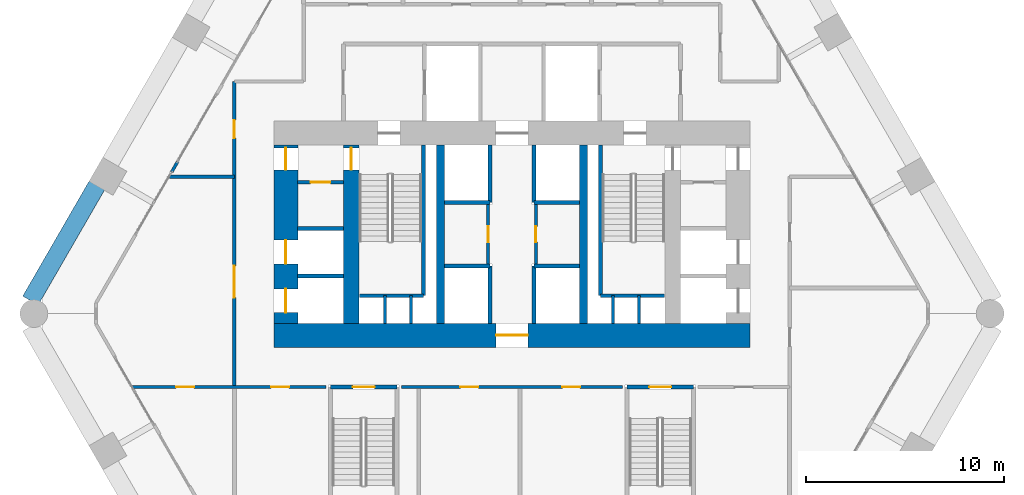
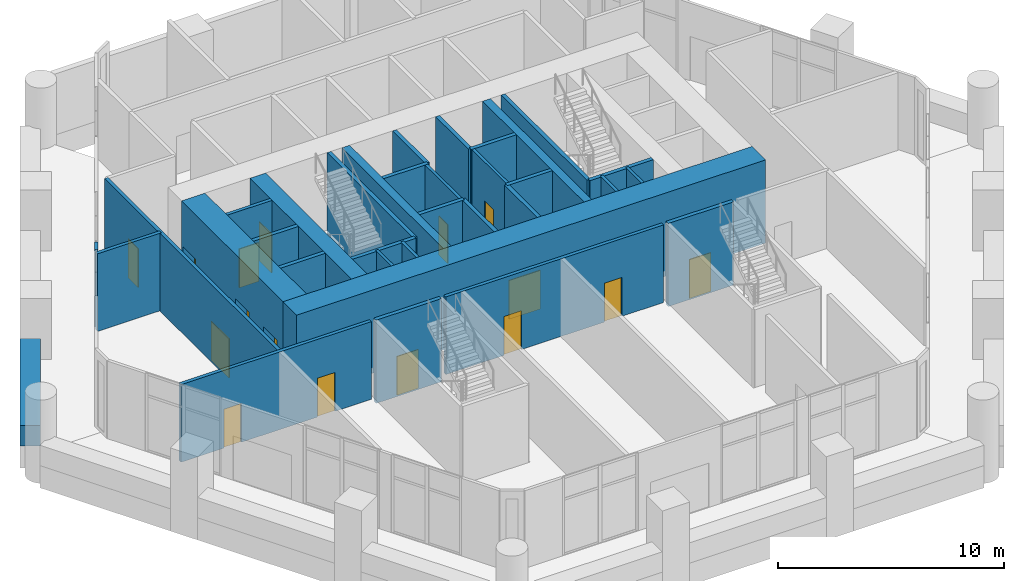
# One storey, part 14 of 18: 34 walls, 16 doors, 16 openings.
"""IFC4 building model written with IfcOpenShell, lengths in metres."""

from ifc_helpers import new_model, si_unit, direction, frame, frame_2d, origin, place, context, subcontext, project, spatial, rectangle, extrude, material, layer, layer_set, type_object, element, fill, save


model = new_model("IFC4")

# Units and contexts
model_context = context("Model", 3, precision=1e-05, world=origin(), true_north=direction((0.0, 1.0)))
body_context = subcontext(model_context, "Body", "Model", "MODEL_VIEW")
ifc_project = project(units=[si_unit("LENGTHUNIT", "METRE"), si_unit("AREAUNIT", "SQUARE_METRE"), si_unit("VOLUMEUNIT", "CUBIC_METRE"), si_unit("PLANEANGLEUNIT", "RADIAN"), si_unit("MASSUNIT", "GRAM", prefix="KILO")], contexts=[model_context])

# Site, building, storey
site_placement = place(None, origin())
site = spatial("IfcSite", under=ifc_project, at=site_placement, CompositionType="ELEMENT")
building_placement = place(site_placement, origin())
building = spatial("IfcBuilding", under=site, at=building_placement, Name="Ostrander Bayou Hotel Tower", CompositionType="ELEMENT")
storey_placement = place(building_placement, frame((0.0, 0.0, 14.5)))
storey = spatial("IfcBuildingStorey", under=building, at=storey_placement, Name="L03", CompositionType="ELEMENT", Elevation=14.5)

# Wall, opening, door
ifc_material_1 = material(Name="Concrete f'c 70 MPa", Category="concrete")
ifc_layer_1 = layer(ifc_material_1, 1.199951171875)
ifc_layer_set_1 = layer_set([ifc_layer_1], Name="CW1 core wall 1200 mm f'c 70 MPa")
wall_type_1 = type_object("IfcWallType", Name="CW1 core wall 1200 mm f'c 70 MPa", PredefinedType="SHEAR", material=ifc_layer_set_1)
wall_1_placement = place(storey_placement, frame((-12.0, -1.10009765625, -0.300048828125), z_axis=(0.0, 0.0, 1.0), x_axis=(1.0, 0.0, 0.0)))
wall_1 = element("IfcWall", 1, at=wall_1_placement, inside=storey, type_object=wall_type_1, Name="CW1 L03 S", PredefinedType="SHEAR", context=body_context, shape_type="SweptSolid", body=[
    extrude(rectangle(XDim=24.0, YDim=1.199951171875, at=frame_2d((12.0, 0.0))), origin(), (0.0, 0.0, 1.0), 4.5),
])
opening_1_placement = place(wall_1_placement, frame((11.199951171875, 0.0, 0.0)))
opening_1 = element("IfcOpeningElement", 2, at=opening_1_placement, cuts=wall_1, Name="Opening T03-001", PredefinedType="OPENING", context=body_context, shape_type="SweptSolid", body=[
    extrude(rectangle(XDim=1.60009765625, YDim=2.10009765625, at=frame_2d((0.800048828125, 1.050048828125))), frame((0.0, 0.60009765625, 0.0), z_axis=(0.0, -1.0, 0.0), x_axis=(1.0, 0.0, 0.0)), (0.0, 0.0, 1.0), 1.199951171875),
])
ifc_material_2 = material(Name="Timber door leaf", Category="wood")
door_type_1 = type_object("IfcDoorType", Name="D13 double door 1600 x 2100 mm, 1 hour", OperationType="SINGLE_SWING_LEFT", PredefinedType="DOOR", material=ifc_material_2)
door_1_placement = place(opening_1_placement, origin())
door_1 = element("IfcDoor", 3, at=door_1_placement, inside=storey, type_object=door_type_1, Name="dr:L03:001", OperationType="DOUBLE_DOOR_SINGLE_SWING", OverallHeight=2.10009765625, OverallWidth=1.60009765625, PredefinedType="DOOR", context=body_context, shape_type="SweptSolid", body=[
    extrude(rectangle(XDim=1.60009765625, YDim=2.10009765625, at=frame_2d((0.800048828125, 1.050048828125))), frame((0.0, 0.02490234375, 0.0), z_axis=(0.0, -1.0, 0.0), x_axis=(1.0, 0.0, 0.0)), (0.0, 0.0, 1.0), 0.050048828125),
])
fill(opening_1, door_1)

# Wall, openings, doors
wall_2_placement = place(storey_placement, frame((-11.39990234375, -0.5, -0.300048828125), z_axis=(0.0, 0.0, 1.0), x_axis=(0.0, 1.0, 0.0)))
wall_2 = element("IfcWall", 4, at=wall_2_placement, inside=storey, type_object=wall_type_1, Name="CW1 L03 RW", PredefinedType="SHEAR", context=body_context, shape_type="SweptSolid", body=[
    extrude(rectangle(XDim=9.0, YDim=1.199951171875, at=frame_2d((4.5, 0.0))), origin(), (0.0, 0.0, 1.0), 4.5),
])
opening_2_placement = place(wall_2_placement, frame((7.75, 0.0, 0.0)))
opening_2 = element("IfcOpeningElement", 5, at=opening_2_placement, cuts=wall_2, Name="Opening T03-016", PredefinedType="OPENING", context=body_context, shape_type="SweptSolid", body=[
    extrude(rectangle(XDim=1.10009765625, YDim=2.10009765625, at=frame_2d((0.550048828125, 1.050048828125))), frame((0.0, 0.60009765625, 0.0), z_axis=(0.0, -1.0, 0.0), x_axis=(1.0, 0.0, 0.0)), (0.0, 0.0, 1.0), 1.199951171875),
])
opening_3_placement = place(wall_2_placement, frame((0.550048828125, 0.0, 0.0)))
opening_3 = element("IfcOpeningElement", 6, at=opening_3_placement, cuts=wall_2, Name="Opening T03-017", PredefinedType="OPENING", context=body_context, shape_type="SweptSolid", body=[
    extrude(rectangle(XDim=1.199951171875, YDim=2.10009765625, at=frame_2d((0.60009765625, 1.050048828125))), frame((0.0, 0.60009765625, 0.0), z_axis=(0.0, -1.0, 0.0), x_axis=(1.0, 0.0, 0.0)), (0.0, 0.0, 1.0), 1.199951171875),
])
opening_4_placement = place(wall_2_placement, frame((3.0, 0.0, 0.0)))
opening_4 = element("IfcOpeningElement", 7, at=opening_4_placement, cuts=wall_2, Name="Opening T03-018", PredefinedType="OPENING", context=body_context, shape_type="SweptSolid", body=[
    extrude(rectangle(XDim=1.199951171875, YDim=2.10009765625, at=frame_2d((0.60009765625, 1.050048828125))), frame((0.0, 0.60009765625, 0.0), z_axis=(0.0, -1.0, 0.0), x_axis=(1.0, 0.0, 0.0)), (0.0, 0.0, 1.0), 1.199951171875),
])
ifc_material_3 = material(Name="Timber door leaf", Category="wood")
door_type_2 = type_object("IfcDoorType", Name="D5 stair door 1100 x 2100 mm, 90 minute", OperationType="SINGLE_SWING_LEFT", PredefinedType="DOOR", material=ifc_material_3)
door_2_placement = place(opening_2_placement, origin())
door_2 = element("IfcDoor", 8, at=door_2_placement, inside=storey, type_object=door_type_2, Name="dr:L03:016", OperationType="SINGLE_SWING_LEFT", OverallHeight=2.10009765625, OverallWidth=1.10009765625, PredefinedType="DOOR", context=body_context, shape_type="SweptSolid", body=[
    extrude(rectangle(XDim=1.10009765625, YDim=2.10009765625, at=frame_2d((0.550048828125, 1.050048828125))), frame((0.0, 0.02490234375, 0.0), z_axis=(0.0, -1.0, 0.0), x_axis=(1.0, 0.0, 0.0)), (0.0, 0.0, 1.0), 0.050048828125),
])
fill(opening_2, door_2)
ifc_material_4 = material(Name="Stainless steel sliding door", Category="steel")
door_type_3 = type_object("IfcDoorType", Name="LD1 lift landing door 1200 x 2100 mm", OperationType="SINGLE_SWING_LEFT", PredefinedType="DOOR", material=ifc_material_4)
door_3_placement = place(opening_3_placement, origin())
door_3 = element("IfcDoor", 9, at=door_3_placement, inside=storey, type_object=door_type_3, Name="dr:L03:017", OperationType="SLIDING_TO_LEFT", OverallHeight=2.10009765625, OverallWidth=1.199951171875, PredefinedType="DOOR", context=body_context, shape_type="SweptSolid", body=[
    extrude(rectangle(XDim=1.199951171875, YDim=2.10009765625, at=frame_2d((0.60009765625, 1.050048828125))), frame((0.0, 0.02490234375, 0.0), z_axis=(0.0, -1.0, 0.0), x_axis=(1.0, 0.0, 0.0)), (0.0, 0.0, 1.0), 0.050048828125),
])
fill(opening_3, door_3)
door_4_placement = place(opening_4_placement, origin())
door_4 = element("IfcDoor", 10, at=door_4_placement, inside=storey, type_object=door_type_3, Name="dr:L03:018", OperationType="SLIDING_TO_LEFT", OverallHeight=2.10009765625, OverallWidth=1.199951171875, PredefinedType="DOOR", context=body_context, shape_type="SweptSolid", body=[
    extrude(rectangle(XDim=1.199951171875, YDim=2.10009765625, at=frame_2d((0.60009765625, 1.050048828125))), frame((0.0, 0.02490234375, 0.0), z_axis=(0.0, -1.0, 0.0), x_axis=(1.0, 0.0, 0.0)), (0.0, 0.0, 1.0), 0.050048828125),
])
fill(opening_4, door_4)

# Wall, opening, door
ifc_material_5 = material(Name="Concrete f'c 70 MPa", Category="concrete")
ifc_layer_2 = layer(ifc_material_5, 0.800048828125)
ifc_layer_set_2 = layer_set([ifc_layer_2], Name="CW2 core spine wall 800 mm f'c 70 MPa")
wall_type_2 = type_object("IfcWallType", Name="CW2 core spine wall 800 mm f'c 70 MPa", PredefinedType="SHEAR", material=ifc_layer_set_2)
wall_3_placement = place(storey_placement, frame((-8.10009765625, -0.5, -0.300048828125), z_axis=(0.0, 0.0, 1.0), x_axis=(0.0, 1.0, 0.0)))
wall_3 = element("IfcWall", 11, at=wall_3_placement, inside=storey, type_object=wall_type_2, Name="CW2 L03 W", PredefinedType="SHEAR", context=body_context, shape_type="SweptSolid", body=[
    extrude(rectangle(XDim=9.0, YDim=0.800048828125, at=frame_2d((4.5, 0.0))), origin(), (0.0, 0.0, 1.0), 4.5),
])
opening_5_placement = place(wall_3_placement, frame((7.75, 0.0, 0.0)))
opening_5 = element("IfcOpeningElement", 12, at=opening_5_placement, cuts=wall_3, Name="Opening T03-004", PredefinedType="OPENING", context=body_context, shape_type="SweptSolid", body=[
    extrude(rectangle(XDim=1.10009765625, YDim=2.10009765625, at=frame_2d((0.550048828125, 1.050048828125))), frame((0.0, 0.39990234375, 0.0), z_axis=(0.0, -1.0, 0.0), x_axis=(1.0, 0.0, 0.0)), (0.0, 0.0, 1.0), 0.800048828125),
])
door_5_placement = place(opening_5_placement, origin())
door_5 = element("IfcDoor", 13, at=door_5_placement, inside=storey, type_object=door_type_2, Name="dr:L03:004", OperationType="SINGLE_SWING_RIGHT", OverallHeight=2.10009765625, OverallWidth=1.10009765625, PredefinedType="DOOR", context=body_context, shape_type="SweptSolid", body=[
    extrude(rectangle(XDim=1.10009765625, YDim=2.10009765625, at=frame_2d((0.550048828125, 1.050048828125))), frame((0.0, 0.02490234375, 0.0), z_axis=(0.0, -1.0, 0.0), x_axis=(1.0, 0.0, 0.0)), (0.0, 0.0, 1.0), 0.050048828125),
])
fill(opening_5, door_5)

# Walls
ifc_material_6 = material(Name="Concrete f'c 70 MPa", Category="concrete")
ifc_layer_3 = layer(ifc_material_6, 0.39990234375)
ifc_layer_set_3 = layer_set([ifc_layer_3], Name="CW3 core bank wall 400 mm f'c 70 MPa")
wall_type_3 = type_object("IfcWallType", Name="CW3 core bank wall 400 mm f'c 70 MPa", PredefinedType="SHEAR", material=ifc_layer_set_3)
for number, where, z_axis, x_axis, name in (
    (14, (-3.60009765625, -0.5, -0.300048828125), (0.0, 0.0, 1.0), (0.0, 1.0, 0.0), "CW3 L03 CW"),
    (15, (3.60009765625, -0.5, -0.300048828125), (0.0, 0.0, 1.0), (0.0, 1.0, 0.0), "CW3 L03 CE"),
):
    element("IfcWall", number, at=place(storey_placement, frame(where, z_axis=z_axis, x_axis=x_axis)), inside=storey, type_object=wall_type_3, Name=name, PredefinedType="SHEAR", context=body_context, shape_type="SweptSolid", body=[
        extrude(rectangle(XDim=9.0, YDim=0.39990234375, at=frame_2d((4.5, 0.0))), origin(), (0.0, 0.0, 1.0), 4.5),
    ])
ifc_material_7 = material(Name="Aluminium framed insulated wall", Category="aluminium")
ifc_layer_4 = layer(ifc_material_7, 0.14990234375)
ifc_layer_set_4 = layer_set([ifc_layer_4], Name="GW1 glass-line wall 150 mm")
wall_type_4 = type_object("IfcWallType", Name="GW1 glass-line wall 150 mm", PredefinedType="SOLIDWALL", material=ifc_layer_set_4)
wall_4_placement = place(storey_placement, frame((-16.8564453125, 7.65380859375, 0.0), z_axis=(0.0, 0.0, 1.0), x_axis=(-0.499945471869, -0.866056883327, 0.0)))
element("IfcWall", 16, at=wall_4_placement, inside=storey, type_object=wall_type_4, Name="GW1 L03 NW pier 4", PredefinedType="SOLIDWALL", context=body_context, shape_type="SweptSolid", body=[
    extrude(rectangle(XDim=0.60009765625, YDim=0.14990234375, at=frame_2d((0.300048828125, 0.0))), origin(), (0.0, 0.0, 1.0), 4.199951171875),
])
ifc_material_8 = material(Name="Concrete f'c 40 MPa", Category="concrete")
ifc_layer_5 = layer(ifc_material_8, 0.89990234375)
ifc_layer_set_5 = layer_set([ifc_layer_5], Name="PA1 stone-faced parapet 900 mm")
wall_type_5 = type_object("IfcWallType", Name="PA1 stone-faced parapet 900 mm", PredefinedType="PARAPET", material=ifc_layer_set_5)
wall_5_placement = place(storey_placement, frame((-20.92236328125, 6.46142578125, 0.0), z_axis=(0.0, 0.0, 1.0), x_axis=(-0.500005133765, -0.866022439784, 0.0)))
element("IfcWall", 17, at=wall_5_placement, inside=storey, type_object=wall_type_5, Name="PA1 L03 NW-3", PredefinedType="PARAPET", context=body_context, shape_type="SweptSolid", body=[
    extrude(rectangle(XDim=6.70361328125, YDim=0.89990234375, at=frame_2d((3.351806640625, 0.0))), origin(), (0.0, 0.0, 1.0), 1.10009765625),
])

# Wall, opening, door
ifc_material_9 = material(Name="Gypsum board partition", Category="finish")
ifc_layer_6 = layer(ifc_material_9, 0.175048828125)
ifc_layer_set_6 = layer_set([ifc_layer_6], Name="PT4 corridor wall 175 mm, 1 hour")
wall_type_6 = type_object("IfcWallType", Name="PT4 corridor wall 175 mm, 1 hour", PredefinedType="PARTITIONING", material=ifc_layer_set_6)
wall_6_placement = place(storey_placement, frame((-10.800048828125, 6.614013671875, 0.0), z_axis=(0.0, 0.0, 1.0), x_axis=(1.0, 0.0, 0.0)))
wall_6 = element("IfcWall", 18, at=wall_6_placement, inside=storey, type_object=wall_type_6, Name="cs:L03:036", PredefinedType="PARTITIONING", context=body_context, shape_type="SweptSolid", body=[
    extrude(rectangle(XDim=2.300048828125, YDim=0.175048828125, at=frame_2d((1.14990234375, 0.0))), origin(), (0.0, 0.0, 1.0), 4.199951171875),
])
opening_6_placement = place(wall_6_placement, frame((0.64990234375, 0.0, 0.0)))
opening_6 = element("IfcOpeningElement", 19, at=opening_6_placement, cuts=wall_6, Name="Opening T03-015", PredefinedType="OPENING", context=body_context, shape_type="SweptSolid", body=[
    extrude(rectangle(XDim=1.0, YDim=2.10009765625, at=frame_2d((0.5, 1.050048828125))), frame((0.0, 0.08740234375, 0.0), z_axis=(0.0, -1.0, 0.0), x_axis=(1.0, 0.0, 0.0)), (0.0, 0.0, 1.0), 0.175048828125),
])
ifc_material_10 = material(Name="Timber door leaf", Category="wood")
door_type_4 = type_object("IfcDoorType", Name="D4 corridor door 1000 x 2100 mm, 1 hour", OperationType="SINGLE_SWING_LEFT", PredefinedType="DOOR", material=ifc_material_10)
door_6_placement = place(opening_6_placement, origin())
door_6 = element("IfcDoor", 20, at=door_6_placement, inside=storey, type_object=door_type_4, Name="dr:L03:015", OperationType="SINGLE_SWING_LEFT", OverallHeight=2.10009765625, OverallWidth=1.0, PredefinedType="DOOR", context=body_context, shape_type="SweptSolid", body=[
    extrude(rectangle(XDim=1.0, YDim=2.10009765625, at=frame_2d((0.5, 1.050048828125))), frame((0.0, 0.02490234375, 0.0), z_axis=(0.0, -1.0, 0.0), x_axis=(1.0, 0.0, 0.0)), (0.0, 0.0, 1.0), 0.050048828125),
])
fill(opening_6, door_6)

# Wall, openings, doors
wall_7_placement = place(storey_placement, frame((-19.117919921875, -3.699951171875, 0.0), z_axis=(0.0, 0.0, 1.0), x_axis=(1.0, 0.0, 0.0)))
wall_7 = element("IfcWall", 21, at=wall_7_placement, inside=storey, type_object=wall_type_6, Name="sw:L03:001", PredefinedType="PARTITIONING", context=body_context, shape_type="SweptSolid", body=[
    extrude(rectangle(XDim=9.738037109375, YDim=0.175048828125, at=frame_2d((4.869140625, 0.0))), origin(), (0.0, 0.0, 1.0), 4.199951171875),
])
opening_7_placement = place(wall_7_placement, frame((6.97802734375, 0.0, 0.0)))
opening_7 = element("IfcOpeningElement", 22, at=opening_7_placement, cuts=wall_7, Name="Opening T03-200", PredefinedType="OPENING", context=body_context, shape_type="SweptSolid", body=[
    extrude(rectangle(XDim=0.89990234375, YDim=2.10009765625, at=frame_2d((0.449951171875, 1.050048828125))), frame((0.0, 0.08740234375, 0.0), z_axis=(0.0, -1.0, 0.0), x_axis=(1.0, 0.0, 0.0)), (0.0, 0.0, 1.0), 0.175048828125),
])
opening_8_placement = place(wall_7_placement, frame((2.18798828125, 0.0, 0.0)))
opening_8 = element("IfcOpeningElement", 23, at=opening_8_placement, cuts=wall_7, Name="Opening T03-205", PredefinedType="OPENING", context=body_context, shape_type="SweptSolid", body=[
    extrude(rectangle(XDim=0.89990234375, YDim=2.10009765625, at=frame_2d((0.449951171875, 1.050048828125))), frame((0.0, 0.08740234375, 0.0), z_axis=(0.0, -1.0, 0.0), x_axis=(1.0, 0.0, 0.0)), (0.0, 0.0, 1.0), 0.175048828125),
])
ifc_material_11 = material(Name="Timber door leaf", Category="wood")
door_type_5 = type_object("IfcDoorType", Name="D8 room door 900 x 2100 mm", OperationType="SINGLE_SWING_LEFT", PredefinedType="DOOR", material=ifc_material_11)
door_7_placement = place(opening_7_placement, origin())
door_7 = element("IfcDoor", 24, at=door_7_placement, inside=storey, type_object=door_type_5, Name="dr:L03:200", OperationType="SINGLE_SWING_RIGHT", OverallHeight=2.10009765625, OverallWidth=0.89990234375, PredefinedType="DOOR", context=body_context, shape_type="SweptSolid", body=[
    extrude(rectangle(XDim=0.89990234375, YDim=2.10009765625, at=frame_2d((0.449951171875, 1.050048828125))), frame((0.0, 0.02490234375, 0.0), z_axis=(0.0, -1.0, 0.0), x_axis=(1.0, 0.0, 0.0)), (0.0, 0.0, 1.0), 0.050048828125),
])
fill(opening_7, door_7)
door_8_placement = place(opening_8_placement, origin())
door_8 = element("IfcDoor", 25, at=door_8_placement, inside=storey, type_object=door_type_5, Name="dr:L03:205", OperationType="SINGLE_SWING_LEFT", OverallHeight=2.10009765625, OverallWidth=0.89990234375, PredefinedType="DOOR", context=body_context, shape_type="SweptSolid", body=[
    extrude(rectangle(XDim=0.89990234375, YDim=2.10009765625, at=frame_2d((0.449951171875, 1.050048828125))), frame((0.0, 0.02490234375, 0.0), z_axis=(0.0, -1.0, 0.0), x_axis=(1.0, 0.0, 0.0)), (0.0, 0.0, 1.0), 0.050048828125),
])
fill(opening_8, door_8)

wall_8_placement = place(storey_placement, frame((-5.570068359375, -3.699951171875, 0.0), z_axis=(0.0, 0.0, 1.0), x_axis=(1.0, 0.0, 0.0)))
wall_8 = element("IfcWall", 26, at=wall_8_placement, inside=storey, type_object=wall_type_6, Name="sw:L03:002", PredefinedType="PARTITIONING", context=body_context, shape_type="SweptSolid", body=[
    extrude(rectangle(XDim=11.14013671875, YDim=0.175048828125, at=frame_2d((5.570068359375, 0.0))), origin(), (0.0, 0.0, 1.0), 4.199951171875),
])
opening_9_placement = place(wall_8_placement, frame((2.969970703125, 0.0, 0.0)))
opening_9 = element("IfcOpeningElement", 27, at=opening_9_placement, cuts=wall_8, Name="Opening T03-201", PredefinedType="OPENING", context=body_context, shape_type="SweptSolid", body=[
    extrude(rectangle(XDim=0.89990234375, YDim=2.10009765625, at=frame_2d((0.449951171875, 1.050048828125))), frame((0.0, 0.08740234375, 0.0), z_axis=(0.0, -1.0, 0.0), x_axis=(1.0, 0.0, 0.0)), (0.0, 0.0, 1.0), 0.175048828125),
])
opening_10_placement = place(wall_8_placement, frame((8.10498046875, 0.0, 0.0)))
opening_10 = element("IfcOpeningElement", 28, at=opening_10_placement, cuts=wall_8, Name="Opening T03-202", PredefinedType="OPENING", context=body_context, shape_type="SweptSolid", body=[
    extrude(rectangle(XDim=0.89990234375, YDim=2.10009765625, at=frame_2d((0.449951171875, 1.050048828125))), frame((0.0, 0.08740234375, 0.0), z_axis=(0.0, -1.0, 0.0), x_axis=(1.0, 0.0, 0.0)), (0.0, 0.0, 1.0), 0.175048828125),
])
door_9_placement = place(opening_9_placement, origin())
door_9 = element("IfcDoor", 29, at=door_9_placement, inside=storey, type_object=door_type_5, Name="dr:L03:201", OperationType="SINGLE_SWING_LEFT", OverallHeight=2.10009765625, OverallWidth=0.89990234375, PredefinedType="DOOR", context=body_context, shape_type="SweptSolid", body=[
    extrude(rectangle(XDim=0.89990234375, YDim=2.10009765625, at=frame_2d((0.449951171875, 1.050048828125))), frame((0.0, 0.02490234375, 0.0), z_axis=(0.0, -1.0, 0.0), x_axis=(1.0, 0.0, 0.0)), (0.0, 0.0, 1.0), 0.050048828125),
])
fill(opening_9, door_9)
door_10_placement = place(opening_10_placement, origin())
door_10 = element("IfcDoor", 30, at=door_10_placement, inside=storey, type_object=door_type_5, Name="dr:L03:202", OperationType="SINGLE_SWING_RIGHT", OverallHeight=2.10009765625, OverallWidth=0.89990234375, PredefinedType="DOOR", context=body_context, shape_type="SweptSolid", body=[
    extrude(rectangle(XDim=0.89990234375, YDim=2.10009765625, at=frame_2d((0.449951171875, 1.050048828125))), frame((0.0, 0.02490234375, 0.0), z_axis=(0.0, -1.0, 0.0), x_axis=(1.0, 0.0, 0.0)), (0.0, 0.0, 1.0), 0.050048828125),
])
fill(opening_10, door_10)

# Wall
wall_9_placement = place(storey_placement, frame((-17.2705078125, 6.89990234375, 0.0), z_axis=(0.0, 0.0, 1.0), x_axis=(1.0, 0.0, 0.0)))
element("IfcWall", 31, at=wall_9_placement, inside=storey, type_object=wall_type_6, Name="sw:L03:004", PredefinedType="PARTITIONING", context=body_context, shape_type="SweptSolid", body=[
    extrude(rectangle(XDim=3.2705078125, YDim=0.175048828125, at=frame_2d((1.63525390625, 0.0))), origin(), (0.0, 0.0, 1.0), 4.199951171875),
])

# Wall, openings, doors
wall_10_placement = place(storey_placement, frame((-14.0, -3.699951171875, 0.0), z_axis=(0.0, 0.0, 1.0), x_axis=(0.0, 1.0, 0.0)))
wall_10 = element("IfcWall", 32, at=wall_10_placement, inside=storey, type_object=wall_type_6, Name="sw:L03:009", PredefinedType="PARTITIONING", context=body_context, shape_type="SweptSolid", body=[
    extrude(rectangle(XDim=15.39990234375, YDim=0.175048828125, at=frame_2d((7.699951171875, 0.0))), origin(), (0.0, 0.0, 1.0), 4.199951171875),
])
opening_11_placement = place(wall_10_placement, frame((4.5, 0.0, 0.0)))
opening_11 = element("IfcOpeningElement", 33, at=opening_11_placement, cuts=wall_10, Name="Opening T03-206", PredefinedType="OPENING", context=body_context, shape_type="SweptSolid", body=[
    extrude(rectangle(XDim=1.60009765625, YDim=2.10009765625, at=frame_2d((0.800048828125, 1.050048828125))), frame((0.0, 0.08740234375, 0.0), z_axis=(0.0, -1.0, 0.0), x_axis=(1.0, 0.0, 0.0)), (0.0, 0.0, 1.0), 0.175048828125),
])
opening_12_placement = place(wall_10_placement, frame((12.550048828125, 0.0, 0.0)))
opening_12 = element("IfcOpeningElement", 34, at=opening_12_placement, cuts=wall_10, Name="Opening T03-209", PredefinedType="OPENING", context=body_context, shape_type="SweptSolid", body=[
    extrude(rectangle(XDim=0.89990234375, YDim=2.10009765625, at=frame_2d((0.449951171875, 1.050048828125))), frame((0.0, 0.08740234375, 0.0), z_axis=(0.0, -1.0, 0.0), x_axis=(1.0, 0.0, 0.0)), (0.0, 0.0, 1.0), 0.175048828125),
])
door_11_placement = place(opening_11_placement, origin())
door_11 = element("IfcDoor", 35, at=door_11_placement, inside=storey, type_object=door_type_1, Name="dr:L03:206", OperationType="DOUBLE_DOOR_SINGLE_SWING", OverallHeight=2.10009765625, OverallWidth=1.60009765625, PredefinedType="DOOR", context=body_context, shape_type="SweptSolid", body=[
    extrude(rectangle(XDim=1.60009765625, YDim=2.10009765625, at=frame_2d((0.800048828125, 1.050048828125))), frame((0.0, 0.02490234375, 0.0), z_axis=(0.0, -1.0, 0.0), x_axis=(1.0, 0.0, 0.0)), (0.0, 0.0, 1.0), 0.050048828125),
])
fill(opening_11, door_11)
door_12_placement = place(opening_12_placement, origin())
door_12 = element("IfcDoor", 36, at=door_12_placement, inside=storey, type_object=door_type_5, Name="dr:L03:209", OperationType="SINGLE_SWING_LEFT", OverallHeight=2.10009765625, OverallWidth=0.89990234375, PredefinedType="DOOR", context=body_context, shape_type="SweptSolid", body=[
    extrude(rectangle(XDim=0.89990234375, YDim=2.10009765625, at=frame_2d((0.449951171875, 1.050048828125))), frame((0.0, 0.02490234375, 0.0), z_axis=(0.0, -1.0, 0.0), x_axis=(1.0, 0.0, 0.0)), (0.0, 0.0, 1.0), 0.050048828125),
])
fill(opening_12, door_12)

# Walls
ifc_material_12 = material(Name="Masonry block", Category="masonry")
ifc_layer_7 = layer(ifc_material_12, 0.199951171875)
ifc_layer_set_7 = layer_set([ifc_layer_7], Name="PT6 lift shaft wall 200 mm masonry, 2 hour")
wall_type_7 = type_object("IfcWallType", Name="PT6 lift shaft wall 200 mm masonry, 2 hour", PredefinedType="PARTITIONING", material=ifc_layer_set_7)
for number, where, z_axis, x_axis, name in (
    (37, (-3.39990234375, 2.39990234375, 0.0), (0.0, 0.0, 1.0), (1.0, 0.0, 0.0), "cs:L03:001"),
    (38, (-3.39990234375, 5.60009765625, 0.0), (0.0, 0.0, 1.0), (1.0, 0.0, 0.0), "cs:L03:002"),
    (39, (1.10009765625, 2.39990234375, 0.0), (0.0, 0.0, 1.0), (1.0, 0.0, 0.0), "cs:L03:003"),
    (40, (1.10009765625, 5.60009765625, 0.0), (0.0, 0.0, 1.0), (1.0, 0.0, 0.0), "cs:L03:004"),
):
    element("IfcWall", number, at=place(storey_placement, frame(where, z_axis=z_axis, x_axis=x_axis)), inside=storey, type_object=wall_type_7, Name=name, PredefinedType="PARTITIONING", context=body_context, shape_type="SweptSolid", body=[
        extrude(rectangle(XDim=2.2998046875, YDim=0.199951171875, at=frame_2d((1.14990234375, 0.0))), origin(), (0.0, 0.0, 1.0), 4.199951171875),
    ])
for number, where, z_axis, x_axis, name in (
    (41, (-1.10009765625, -0.5, 0.0), (0.0, 0.0, 1.0), (0.0, 1.0, 0.0), "cs:L03:005"),
    (42, (1.10009765625, -0.5, 0.0), (0.0, 0.0, 1.0), (0.0, 1.0, 0.0), "cs:L03:006"),
    (43, (-1.10009765625, 5.60009765625, 0.0), (0.0, 0.0, 1.0), (0.0, 1.0, 0.0), "cs:L03:007"),
    (44, (1.10009765625, 5.60009765625, 0.0), (0.0, 0.0, 1.0), (0.0, 1.0, 0.0), "cs:L03:008"),
):
    element("IfcWall", number, at=place(storey_placement, frame(where, z_axis=z_axis, x_axis=x_axis)), inside=storey, type_object=wall_type_7, Name=name, PredefinedType="PARTITIONING", context=body_context, shape_type="SweptSolid", body=[
        extrude(rectangle(XDim=2.89990234375, YDim=0.199951171875, at=frame_2d((1.449951171875, 0.0))), origin(), (0.0, 0.0, 1.0), 4.199951171875),
    ])
for number, where, z_axis, x_axis, name in (
    (45, (-10.800048828125, 1.89990234375, 0.0), (0.0, 0.0, 1.0), (1.0, 0.0, 0.0), "cs:L03:034"),
    (46, (-10.800048828125, 4.300048828125, 0.0), (0.0, 0.0, 1.0), (1.0, 0.0, 0.0), "cs:L03:035"),
):
    element("IfcWall", number, at=place(storey_placement, frame(where, z_axis=z_axis, x_axis=x_axis)), inside=storey, type_object=wall_type_7, Name=name, PredefinedType="PARTITIONING", context=body_context, shape_type="SweptSolid", body=[
        extrude(rectangle(XDim=2.300048828125, YDim=0.199951171875, at=frame_2d((1.14990234375, 0.0))), origin(), (0.0, 0.0, 1.0), 4.199951171875),
    ])
ifc_material_13 = material(Name="Gypsum board partition", Category="finish")
ifc_layer_8 = layer(ifc_material_13, 0.14990234375)
ifc_layer_set_8 = layer_set([ifc_layer_8], Name="PT7 riser wall 150 mm, 2 hour")
wall_type_8 = type_object("IfcWallType", Name="PT7 riser wall 150 mm, 2 hour", PredefinedType="PARTITIONING", material=ifc_layer_set_8)
for number, where, z_axis, x_axis, name in (
    (47, (-6.39990234375, -0.5, 0.0), (0.0, 0.0, 1.0), (0.0, 1.0, 0.0), "cs:L03:011"),
    (48, (-5.10009765625, -0.5, 0.0), (0.0, 0.0, 1.0), (0.0, 1.0, 0.0), "cs:L03:012"),
    (49, (5.10009765625, -0.5, 0.0), (0.0, 0.0, 1.0), (0.0, 1.0, 0.0), "cs:L03:015"),
    (50, (6.39990234375, -0.5, 0.0), (0.0, 0.0, 1.0), (0.0, 1.0, 0.0), "cs:L03:016"),
):
    element("IfcWall", number, at=place(storey_placement, frame(where, z_axis=z_axis, x_axis=x_axis)), inside=storey, type_object=wall_type_8, Name=name, PredefinedType="PARTITIONING", context=body_context, shape_type="SweptSolid", body=[
        extrude(rectangle(XDim=1.39990234375, YDim=0.14990234375, at=frame_2d((0.699951171875, 0.0))), origin(), (0.0, 0.0, 1.0), 4.199951171875),
    ])

# Wall, opening, door
wall_11_placement = place(storey_placement, frame((-1.199951171875, 2.5, 0.0), z_axis=(0.0, 0.0, 1.0), x_axis=(0.0, 1.0, 0.0)))
wall_11 = element("IfcWall", 51, at=wall_11_placement, inside=storey, type_object=wall_type_8, Name="cs:L03:032", PredefinedType="PARTITIONING", context=body_context, shape_type="SweptSolid", body=[
    extrude(rectangle(XDim=3.0, YDim=0.14990234375, at=frame_2d((1.5, 0.0))), origin(), (0.0, 0.0, 1.0), 4.199951171875),
])
opening_13_placement = place(wall_11_placement, frame((1.10009765625, 0.0, 0.0)))
opening_13 = element("IfcOpeningElement", 52, at=opening_13_placement, cuts=wall_11, Name="Opening T03-013", PredefinedType="OPENING", context=body_context, shape_type="SweptSolid", body=[
    extrude(rectangle(XDim=0.800048828125, YDim=2.10009765625, at=frame_2d((0.39990234375, 1.050048828125))), frame((0.0, 0.074951171875, 0.0), z_axis=(0.0, -1.0, 0.0), x_axis=(1.0, 0.0, 0.0)), (0.0, 0.0, 1.0), 0.14990234375),
])
ifc_material_14 = material(Name="Timber door leaf", Category="wood")
door_type_6 = type_object("IfcDoorType", Name="D6 riser door 800 x 2100 mm, 90 minute", OperationType="SINGLE_SWING_LEFT", PredefinedType="DOOR", material=ifc_material_14)
door_13_placement = place(opening_13_placement, origin())
door_13 = element("IfcDoor", 53, at=door_13_placement, inside=storey, type_object=door_type_6, Name="dr:L03:013", OperationType="SINGLE_SWING_LEFT", OverallHeight=2.10009765625, OverallWidth=0.800048828125, PredefinedType="DOOR", context=body_context, shape_type="SweptSolid", body=[
    extrude(rectangle(XDim=0.800048828125, YDim=2.10009765625, at=frame_2d((0.39990234375, 1.050048828125))), frame((0.0, 0.02490234375, 0.0), z_axis=(0.0, -1.0, 0.0), x_axis=(1.0, 0.0, 0.0)), (0.0, 0.0, 1.0), 0.050048828125),
])
fill(opening_13, door_13)

wall_12_placement = place(storey_placement, frame((1.199951171875, 2.5, 0.0), z_axis=(0.0, 0.0, 1.0), x_axis=(0.0, 1.0, 0.0)))
wall_12 = element("IfcWall", 54, at=wall_12_placement, inside=storey, type_object=wall_type_8, Name="cs:L03:033", PredefinedType="PARTITIONING", context=body_context, shape_type="SweptSolid", body=[
    extrude(rectangle(XDim=3.0, YDim=0.14990234375, at=frame_2d((1.5, 0.0))), origin(), (0.0, 0.0, 1.0), 4.199951171875),
])
opening_14_placement = place(wall_12_placement, frame((1.10009765625, 0.0, 0.0)))
opening_14 = element("IfcOpeningElement", 55, at=opening_14_placement, cuts=wall_12, Name="Opening T03-014", PredefinedType="OPENING", context=body_context, shape_type="SweptSolid", body=[
    extrude(rectangle(XDim=0.800048828125, YDim=2.10009765625, at=frame_2d((0.39990234375, 1.050048828125))), frame((0.0, 0.074951171875, 0.0), z_axis=(0.0, -1.0, 0.0), x_axis=(1.0, 0.0, 0.0)), (0.0, 0.0, 1.0), 0.14990234375),
])
door_14_placement = place(opening_14_placement, origin())
door_14 = element("IfcDoor", 56, at=door_14_placement, inside=storey, type_object=door_type_6, Name="dr:L03:014", OperationType="SINGLE_SWING_RIGHT", OverallHeight=2.10009765625, OverallWidth=0.800048828125, PredefinedType="DOOR", context=body_context, shape_type="SweptSolid", body=[
    extrude(rectangle(XDim=0.800048828125, YDim=2.10009765625, at=frame_2d((0.39990234375, 1.050048828125))), frame((0.0, 0.02490234375, 0.0), z_axis=(0.0, -1.0, 0.0), x_axis=(1.0, 0.0, 0.0)), (0.0, 0.0, 1.0), 0.050048828125),
])
fill(opening_14, door_14)

# Walls
ifc_material_15 = material(Name="Concrete f'c 45 MPa", Category="concrete")
ifc_layer_9 = layer(ifc_material_15, 0.199951171875)
ifc_layer_set_9 = layer_set([ifc_layer_9], Name="SW5 stair enclosure wall 200 mm f'c 45 MPa")
wall_type_9 = type_object("IfcWallType", Name="SW5 stair enclosure wall 200 mm f'c 45 MPa", PredefinedType="SOLIDWALL", material=ifc_layer_set_9)
wall_13_placement = place(storey_placement, frame((-4.449951171875, 0.89990234375, -0.300048828125), z_axis=(0.0, 0.0, 1.0), x_axis=(0.0, 1.0, 0.0)))
element("IfcWall", 57, at=wall_13_placement, inside=storey, type_object=wall_type_9, Name="cs:L03:009", PredefinedType="SOLIDWALL", context=body_context, shape_type="SweptSolid", body=[
    extrude(rectangle(XDim=7.60009765625, YDim=0.199951171875, at=frame_2d((3.800048828125, 0.0))), origin(), (0.0, 0.0, 1.0), 4.5),
])
wall_14_placement = place(storey_placement, frame((-7.699951171875, 0.89990234375, -0.300048828125), z_axis=(0.0, 0.0, 1.0), x_axis=(1.0, 0.0, 0.0)))
element("IfcWall", 58, at=wall_14_placement, inside=storey, type_object=wall_type_9, Name="cs:L03:010", PredefinedType="SOLIDWALL", context=body_context, shape_type="SweptSolid", body=[
    extrude(rectangle(XDim=3.25, YDim=0.199951171875, at=frame_2d((1.625, 0.0))), origin(), (0.0, 0.0, 1.0), 4.5),
])
wall_15_placement = place(storey_placement, frame((4.449951171875, 0.89990234375, -0.300048828125), z_axis=(0.0, 0.0, 1.0), x_axis=(0.0, 1.0, 0.0)))
element("IfcWall", 59, at=wall_15_placement, inside=storey, type_object=wall_type_9, Name="cs:L03:013", PredefinedType="SOLIDWALL", context=body_context, shape_type="SweptSolid", body=[
    extrude(rectangle(XDim=7.60009765625, YDim=0.199951171875, at=frame_2d((3.800048828125, 0.0))), origin(), (0.0, 0.0, 1.0), 4.5),
])
wall_16_placement = place(storey_placement, frame((4.449951171875, 0.89990234375, -0.300048828125), z_axis=(0.0, 0.0, 1.0), x_axis=(1.0, 0.0, 0.0)))
element("IfcWall", 60, at=wall_16_placement, inside=storey, type_object=wall_type_9, Name="cs:L03:014", PredefinedType="SOLIDWALL", context=body_context, shape_type="SweptSolid", body=[
    extrude(rectangle(XDim=3.25, YDim=0.199951171875, at=frame_2d((1.625, 0.0))), origin(), (0.0, 0.0, 1.0), 4.5),
])

# Wall, opening, door
wall_17_placement = place(storey_placement, frame((5.800048828125, -3.699951171875, -0.300048828125), z_axis=(0.0, 0.0, 1.0), x_axis=(1.0, 0.0, 0.0)))
wall_17 = element("IfcWall", 61, at=wall_17_placement, inside=storey, type_object=wall_type_9, Name="cs:L03:017", PredefinedType="SOLIDWALL", context=body_context, shape_type="SweptSolid", body=[
    extrude(rectangle(XDim=3.349853515625, YDim=0.199951171875, at=frame_2d((1.6748046875, 0.0))), origin(), (0.0, 0.0, 1.0), 4.5),
])
opening_15_placement = place(wall_17_placement, frame((1.125, 0.0, 0.0)))
opening_15 = element("IfcOpeningElement", 62, at=opening_15_placement, cuts=wall_17, Name="Opening T03-007", PredefinedType="OPENING", context=body_context, shape_type="SweptSolid", body=[
    extrude(rectangle(XDim=1.10009765625, YDim=2.10009765625, at=frame_2d((0.550048828125, 1.050048828125))), frame((0.0, 0.10009765625, 0.0), z_axis=(0.0, -1.0, 0.0), x_axis=(1.0, 0.0, 0.0)), (0.0, 0.0, 1.0), 0.199951171875),
])
door_15_placement = place(opening_15_placement, origin())
door_15 = element("IfcDoor", 63, at=door_15_placement, inside=storey, type_object=door_type_2, Name="dr:L03:007", OperationType="SINGLE_SWING_LEFT", OverallHeight=2.10009765625, OverallWidth=1.10009765625, PredefinedType="DOOR", context=body_context, shape_type="SweptSolid", body=[
    extrude(rectangle(XDim=1.10009765625, YDim=2.10009765625, at=frame_2d((0.550048828125, 1.050048828125))), frame((0.0, 0.02490234375, 0.0), z_axis=(0.0, -1.0, 0.0), x_axis=(1.0, 0.0, 0.0)), (0.0, 0.0, 1.0), 0.050048828125),
])
fill(opening_15, door_15)

wall_18_placement = place(storey_placement, frame((-9.14990234375, -3.699951171875, -0.300048828125), z_axis=(0.0, 0.0, 1.0), x_axis=(1.0, 0.0, 0.0)))
wall_18 = element("IfcWall", 64, at=wall_18_placement, inside=storey, type_object=wall_type_9, Name="cs:L03:021", PredefinedType="SOLIDWALL", context=body_context, shape_type="SweptSolid", body=[
    extrude(rectangle(XDim=3.349853515625, YDim=0.199951171875, at=frame_2d((1.6748046875, 0.0))), origin(), (0.0, 0.0, 1.0), 4.5),
])
opening_16_placement = place(wall_18_placement, frame((1.125, 0.0, 0.0)))
opening_16 = element("IfcOpeningElement", 65, at=opening_16_placement, cuts=wall_18, Name="Opening T03-008", PredefinedType="OPENING", context=body_context, shape_type="SweptSolid", body=[
    extrude(rectangle(XDim=1.10009765625, YDim=2.10009765625, at=frame_2d((0.550048828125, 1.050048828125))), frame((0.0, 0.10009765625, 0.0), z_axis=(0.0, -1.0, 0.0), x_axis=(1.0, 0.0, 0.0)), (0.0, 0.0, 1.0), 0.199951171875),
])
door_16_placement = place(opening_16_placement, origin())
door_16 = element("IfcDoor", 66, at=door_16_placement, inside=storey, type_object=door_type_2, Name="dr:L03:008", OperationType="SINGLE_SWING_LEFT", OverallHeight=2.10009765625, OverallWidth=1.10009765625, PredefinedType="DOOR", context=body_context, shape_type="SweptSolid", body=[
    extrude(rectangle(XDim=1.10009765625, YDim=2.10009765625, at=frame_2d((0.550048828125, 1.050048828125))), frame((0.0, 0.02490234375, 0.0), z_axis=(0.0, -1.0, 0.0), x_axis=(1.0, 0.0, 0.0)), (0.0, 0.0, 1.0), 0.050048828125),
])
fill(opening_16, door_16)

save(model, "model.ifc")
